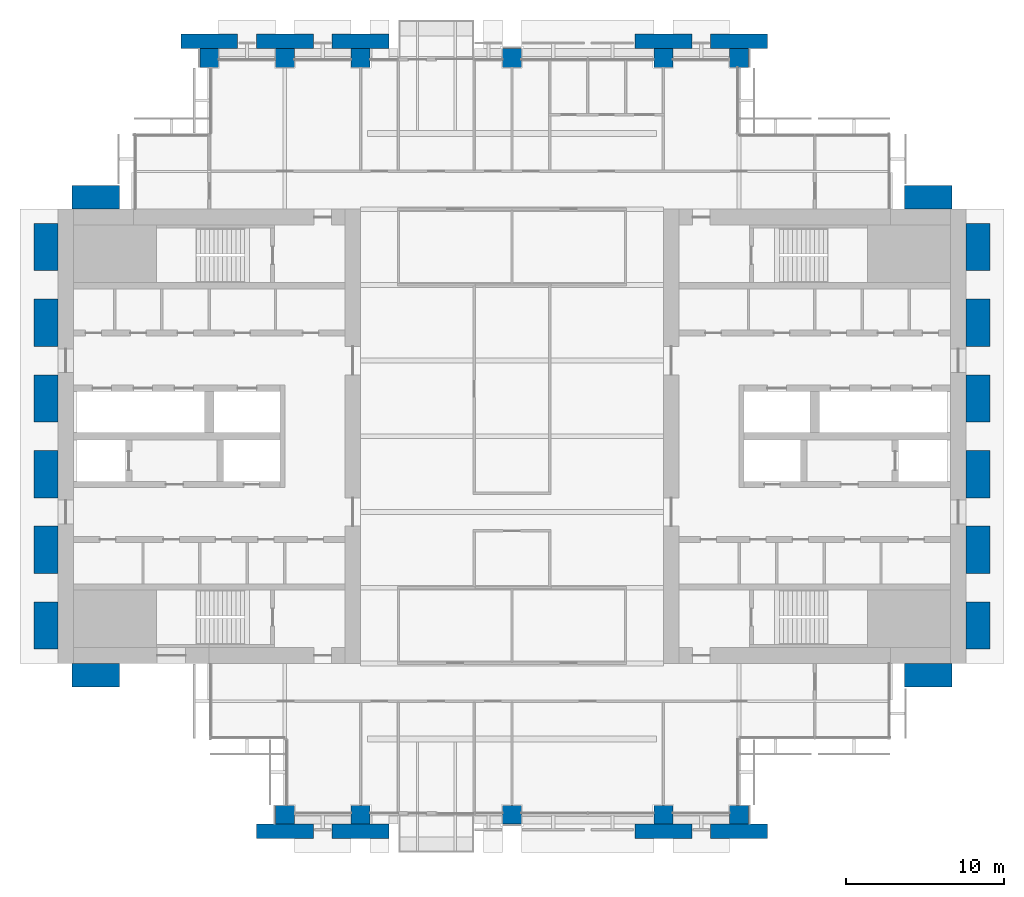
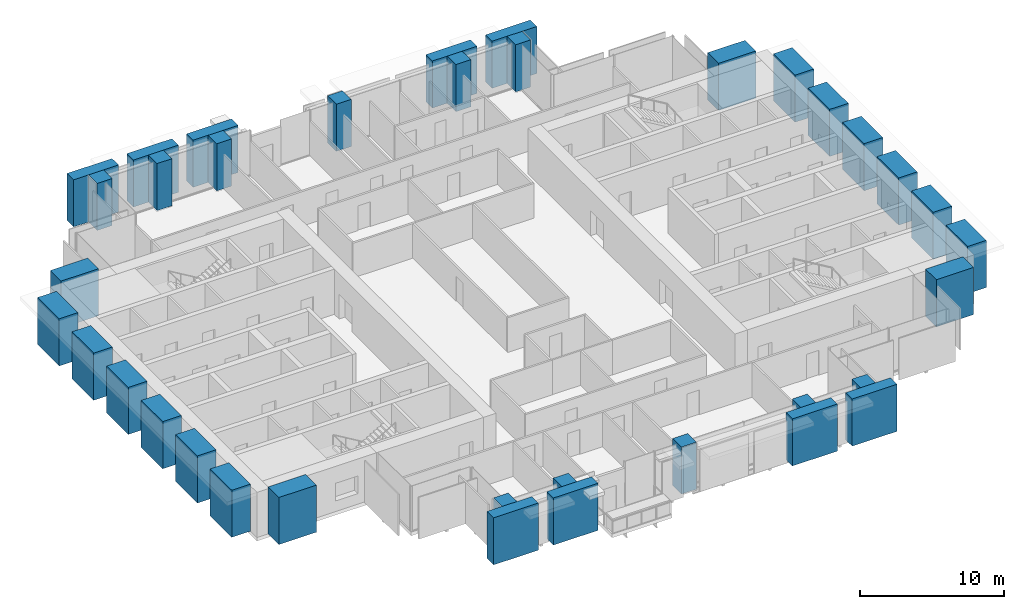
# One storey, part 1 of 15: 36 columns.
"""IFC4 building model written with IfcOpenShell, lengths in metres."""

from ifc_helpers import new_model, si_unit, direction, frame, origin, origin_2d, place, context, subcontext, project, spatial, rectangle, extrude, material, material_profile, profile_set, type_object, element, save


model = new_model("IFC4")

# Units and contexts
model_context = context("Model", 3, precision=1e-05, world=origin(), true_north=direction((0.0, 1.0)))
body_context = subcontext(model_context, "Body", "Model", "MODEL_VIEW")
ifc_project = project(units=[si_unit("LENGTHUNIT", "METRE"), si_unit("AREAUNIT", "SQUARE_METRE"), si_unit("VOLUMEUNIT", "CUBIC_METRE"), si_unit("PLANEANGLEUNIT", "RADIAN"), si_unit("MASSUNIT", "GRAM", prefix="KILO")], contexts=[model_context])

# Site, building, storey
site_placement = place(None, origin())
site = spatial("IfcSite", under=ifc_project, at=site_placement, CompositionType="ELEMENT")
building_placement = place(site_placement, origin())
building = spatial("IfcBuilding", under=site, at=building_placement, Name="Baori Bourse Tower", CompositionType="ELEMENT")
storey_placement = place(building_placement, frame((0.0, 0.0, 104.10009765625)))
storey = spatial("IfcBuildingStorey", under=building, at=storey_placement, Name="L21", CompositionType="ELEMENT", Elevation=104.10009765625)

# Columns
ifc_material_1 = material(Name="Concrete f'c 60 MPa", Category="concrete")
ifc_material_profile_1 = material_profile(ifc_material_1, rectangle(XDim=3.60009765625, YDim=0.89990234375, at=origin_2d()), Name="RC 3600x900")
ifc_profile_set_1 = profile_set([ifc_material_profile_1], Name="Concrete f'c 60 MPa")
column_type_1 = type_object("IfcColumnType", Name="FN3 Brick pilaster 3600x900", PredefinedType="PILASTER", material=ifc_profile_set_1)
for number, where, z_axis, x_axis, name in (
    (1, (14.39990234375, -1.050048828125, 0.0), (0.0, 0.0, 1.0), (1.0, 0.0, 0.0), "Brick pilaster L21 17"),
    (2, (19.199951171875, -1.050048828125, 0.0), (0.0, 0.0, 1.0), (1.0, 0.0, 0.0), "Brick pilaster L21 18"),
    (3, (38.39990234375, -1.050048828125, 0.0), (0.0, 0.0, 1.0), (1.0, 0.0, 0.0), "Brick pilaster L21 19"),
    (4, (43.199951171875, -1.050048828125, 0.0), (0.0, 0.0, 1.0), (1.0, 0.0, 0.0), "Brick pilaster L21 20"),
    (5, (9.60009765625, 49.050048828125, 0.0), (0.0, 0.0, 1.0), (1.0, 0.0, 0.0), "Brick pilaster L21 21"),
    (6, (14.39990234375, 49.050048828125, 0.0), (0.0, 0.0, 1.0), (1.0, 0.0, 0.0), "Brick pilaster L21 22"),
    (7, (19.199951171875, 49.050048828125, 0.0), (0.0, 0.0, 1.0), (1.0, 0.0, 0.0), "Brick pilaster L21 23"),
    (8, (38.39990234375, 49.050048828125, 0.0), (0.0, 0.0, 1.0), (1.0, 0.0, 0.0), "Brick pilaster L21 24"),
    (9, (43.199951171875, 49.050048828125, 0.0), (0.0, 0.0, 1.0), (1.0, 0.0, 0.0), "Brick pilaster L21 25"),
):
    element("IfcColumn", number, at=place(storey_placement, frame(where, z_axis=z_axis, x_axis=x_axis)), inside=storey, type_object=column_type_1, Name=name, PredefinedType="PILASTER", context=body_context, shape_type="SweptSolid", body=[
        extrude(rectangle(XDim=3.60009765625, YDim=0.89990234375, at=origin_2d()), origin(), (0.0, 0.0, 1.0), 4.0),
    ])
ifc_material_2 = material(Name="Concrete f'c 60 MPa", Category="concrete")
ifc_material_profile_2 = material_profile(ifc_material_2, rectangle(XDim=3.0, YDim=1.5, at=origin_2d()), Name="RC 3000x1500")
ifc_profile_set_2 = profile_set([ifc_material_profile_2], Name="Concrete f'c 60 MPa")
column_type_2 = type_object("IfcColumnType", Name="FN4 Brick flank pilaster 3000x1500", PredefinedType="PILASTER", material=ifc_profile_set_2)
for number, where, z_axis, x_axis, name in (
    (10, (55.199951171875, 8.85009765625, 0.0), (0.0, 0.0, 1.0), (1.0, 0.0, 0.0), "Brick pilaster L21 1"),
    (11, (58.35009765625, 12.0, 0.0), (0.0, 0.0, 1.0), (0.0, 1.0, 0.0), "Brick pilaster L21 2"),
    (12, (58.35009765625, 16.800048828125, 0.0), (0.0, 0.0, 1.0), (0.0, 1.0, 0.0), "Brick pilaster L21 3"),
    (13, (58.35009765625, 21.60009765625, 0.0), (0.0, 0.0, 1.0), (0.0, 1.0, 0.0), "Brick pilaster L21 4"),
    (14, (58.35009765625, 26.39990234375, 0.0), (0.0, 0.0, 1.0), (0.0, 1.0, 0.0), "Brick pilaster L21 5"),
    (15, (58.35009765625, 31.199951171875, 0.0), (0.0, 0.0, 1.0), (0.0, 1.0, 0.0), "Brick pilaster L21 6"),
    (16, (58.35009765625, 36.0, 0.0), (0.0, 0.0, 1.0), (0.0, 1.0, 0.0), "Brick pilaster L21 7"),
    (17, (55.199951171875, 39.14990234375, 0.0), (0.0, 0.0, 1.0), (1.0, 0.0, 0.0), "Brick pilaster L21 8"),
    (18, (2.39990234375, 39.14990234375, 0.0), (0.0, 0.0, 1.0), (1.0, 0.0, 0.0), "Brick pilaster L21 9"),
    (19, (-0.75, 12.0, 0.0), (0.0, 0.0, 1.0), (0.0, 1.0, 0.0), "Brick pilaster L21 10"),
    (20, (-0.75, 16.800048828125, 0.0), (0.0, 0.0, 1.0), (0.0, 1.0, 0.0), "Brick pilaster L21 11"),
    (21, (-0.75, 21.60009765625, 0.0), (0.0, 0.0, 1.0), (0.0, 1.0, 0.0), "Brick pilaster L21 12"),
    (22, (-0.75, 26.39990234375, 0.0), (0.0, 0.0, 1.0), (0.0, 1.0, 0.0), "Brick pilaster L21 13"),
    (23, (-0.75, 31.199951171875, 0.0), (0.0, 0.0, 1.0), (0.0, 1.0, 0.0), "Brick pilaster L21 14"),
    (24, (-0.75, 36.0, 0.0), (0.0, 0.0, 1.0), (0.0, 1.0, 0.0), "Brick pilaster L21 15"),
    (25, (2.39990234375, 8.85009765625, 0.0), (0.0, 0.0, 1.0), (1.0, 0.0, 0.0), "Brick pilaster L21 16"),
):
    element("IfcColumn", number, at=place(storey_placement, frame(where, z_axis=z_axis, x_axis=x_axis)), inside=storey, type_object=column_type_2, Name=name, PredefinedType="PILASTER", context=body_context, shape_type="SweptSolid", body=[
        extrude(rectangle(XDim=3.0, YDim=1.5, at=origin_2d()), origin(), (0.0, 0.0, 1.0), 4.0),
    ])
ifc_material_3 = material(Name="Concrete f'c 60 MPa", Category="concrete")
ifc_material_profile_3 = material_profile(ifc_material_3, rectangle(XDim=1.199951171875, YDim=1.199951171875, at=origin_2d()), Name="RC 1200x1200")
ifc_profile_set_3 = profile_set([ifc_material_profile_3], Name="Concrete f'c 60 MPa")
column_type_3 = type_object("IfcColumnType", Name="Perimeter column 60 RC 1200x1200", PredefinedType="COLUMN", material=ifc_profile_set_3)
for number, where, z_axis, x_axis, name in (
    (26, (14.39990234375, 0.0, 0.0), (0.0, 0.0, 1.0), (1.0, 0.0, 0.0), "Perimeter column L21"),
    (27, (19.199951171875, 0.0, 0.0), (0.0, 0.0, 1.0), (1.0, 0.0, 0.0), "Perimeter column L21"),
    (28, (28.800048828125, 0.0, 0.0), (0.0, 0.0, 1.0), (1.0, 0.0, 0.0), "Perimeter column L21"),
    (29, (38.39990234375, 0.0, 0.0), (0.0, 0.0, 1.0), (1.0, 0.0, 0.0), "Perimeter column L21"),
    (30, (43.199951171875, 0.0, 0.0), (0.0, 0.0, 1.0), (1.0, 0.0, 0.0), "Perimeter column L21"),
    (31, (9.60009765625, 48.0, 0.0), (0.0, 0.0, 1.0), (1.0, 0.0, 0.0), "Perimeter column L21"),
    (32, (14.39990234375, 48.0, 0.0), (0.0, 0.0, 1.0), (1.0, 0.0, 0.0), "Perimeter column L21"),
    (33, (19.199951171875, 48.0, 0.0), (0.0, 0.0, 1.0), (1.0, 0.0, 0.0), "Perimeter column L21"),
    (34, (28.800048828125, 48.0, 0.0), (0.0, 0.0, 1.0), (1.0, 0.0, 0.0), "Perimeter column L21"),
    (35, (38.39990234375, 48.0, 0.0), (0.0, 0.0, 1.0), (1.0, 0.0, 0.0), "Perimeter column L21"),
    (36, (43.199951171875, 48.0, 0.0), (0.0, 0.0, 1.0), (1.0, 0.0, 0.0), "Perimeter column L21"),
):
    element("IfcColumn", number, at=place(storey_placement, frame(where, z_axis=z_axis, x_axis=x_axis)), inside=storey, type_object=column_type_3, Name=name, PredefinedType="COLUMN", context=body_context, shape_type="SweptSolid", body=[
        extrude(rectangle(XDim=1.199951171875, YDim=1.199951171875, at=origin_2d()), origin(), (0.0, 0.0, 1.0), 4.0),
    ])

save(model, "model.ifc")
